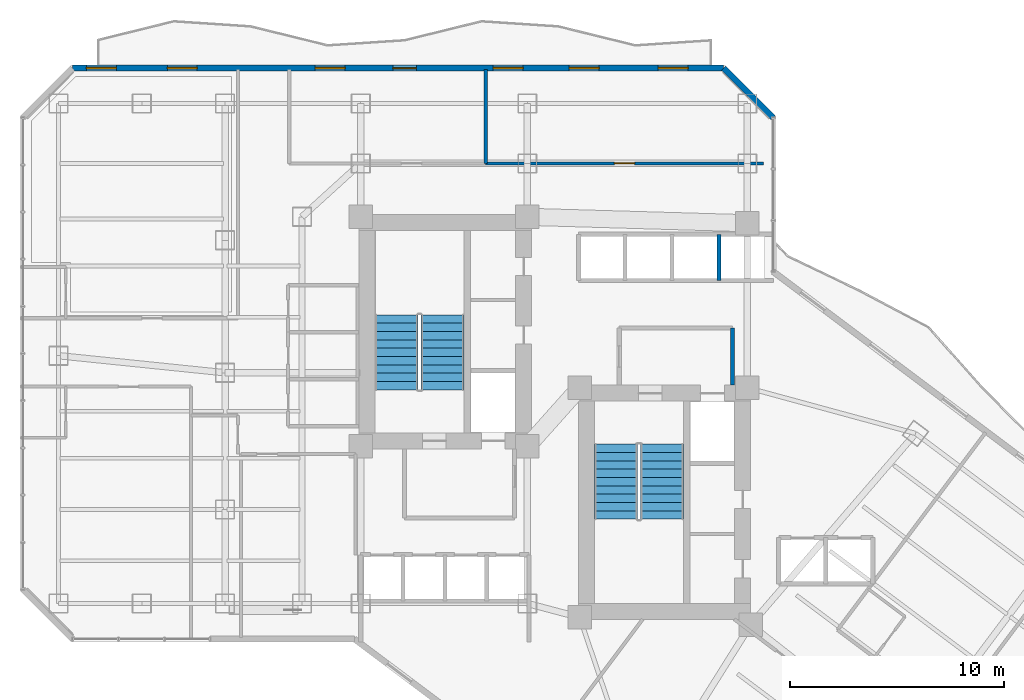
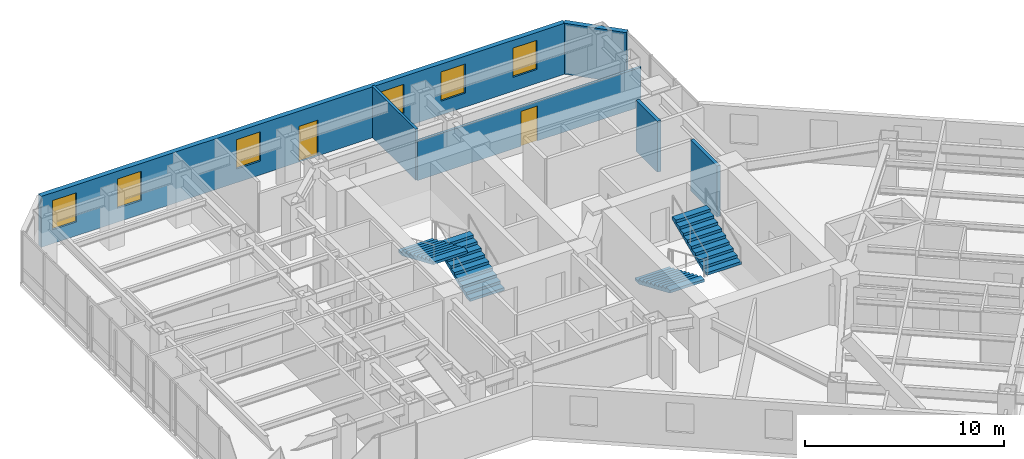
# One storey, part 27 of 31: 6 walls, 6 windows, 4 stair flights, 2 doors, 8 openings, 2 elements without a shape of their own.
"""IFC4 building model written with IfcOpenShell, lengths in metres."""

from ifc_helpers import new_model, si_unit, direction, frame, frame_2d, origin, place, context, subcontext, project, spatial, polyline, rectangle, outline, extrude, material, layer, layer_set, type_object, element, fill, aggregate, save


model = new_model("IFC4")

# Units and contexts
model_context = context("Model", 3, precision=1e-05, world=origin(), true_north=direction((0.0, 1.0)))
body_context = subcontext(model_context, "Body", "Model", "MODEL_VIEW")
ifc_project = project(units=[si_unit("LENGTHUNIT", "METRE"), si_unit("AREAUNIT", "SQUARE_METRE"), si_unit("VOLUMEUNIT", "CUBIC_METRE"), si_unit("PLANEANGLEUNIT", "RADIAN"), si_unit("MASSUNIT", "GRAM", prefix="KILO")], contexts=[model_context])

# Site, building, storey
site_placement = place(None, origin())
site = spatial("IfcSite", under=ifc_project, at=site_placement, CompositionType="ELEMENT")
building_placement = place(site_placement, origin())
building = spatial("IfcBuilding", under=site, at=building_placement, Name="Hatsunagi Terrace Concourse", CompositionType="ELEMENT")
storey_placement = place(building_placement, frame((0.0, 0.0, 77.949951171875)))
storey = spatial("IfcBuildingStorey", under=building, at=storey_placement, Name="L20", CompositionType="ELEMENT", Elevation=77.949951171875)

# Wall
ifc_material_1 = material(Name="Acoustic mineral board", Category="gypsum")
ifc_layer_1 = layer(ifc_material_1, 0.14990234375)
ifc_layer_set_1 = layer_set([ifc_layer_1], Name="PartitionWall_EI60_150")
wall_type_1 = type_object("IfcWallType", Name="PartitionWall_EI60_150", PredefinedType="PARTITIONING", material=ifc_layer_set_1)
wall_1_placement = place(storey_placement, frame((31.39990234375, 45.800048828125, 0.0), z_axis=(0.0, 0.0, 1.0), x_axis=(0.0, 1.0, 0.0)))
element("IfcWall", 1, at=wall_1_placement, inside=storey, type_object=wall_type_1, Name="Interior Partition IW-L20-039", PredefinedType="PARTITIONING", context=body_context, shape_type="SweptSolid", body=[
    extrude(rectangle(XDim=4.39990234375, YDim=0.14990234375, at=frame_2d((2.199951171875, 0.0))), origin(), (0.0, 0.0, 1.0), 3.130126953125),
])

# Wall, opening, door
wall_2_placement = place(storey_placement, frame((31.39990234375, 45.800048828125, 0.0), z_axis=(0.0, 0.0, 1.0), x_axis=(1.0, 0.0, 0.0)))
wall_2 = element("IfcWall", 2, at=wall_2_placement, inside=storey, type_object=wall_type_1, Name="Interior Partition IW-L20-040", PredefinedType="PARTITIONING", context=body_context, shape_type="SweptSolid", body=[
    extrude(rectangle(XDim=13.0, YDim=0.14990234375, at=frame_2d((6.5, 0.0))), origin(), (0.0, 0.0, 1.0), 2.425048828125),
])
opening_1_placement = place(wall_2_placement, frame((6.02490234375, 0.0, 0.0)))
opening_1 = element("IfcOpeningElement", 3, at=opening_1_placement, cuts=wall_2, Name="Opening DR-095", PredefinedType="OPENING", context=body_context, shape_type="SweptSolid", body=[
    extrude(rectangle(XDim=0.949951171875, YDim=2.14990234375, at=frame_2d((0.47509765625, 1.074951171875))), frame((0.0, 0.0849609375, 0.0), z_axis=(0.0, -1.0, 0.0), x_axis=(1.0, 0.0, 0.0)), (0.0, 0.0, 1.0), 0.169921875),
])
ifc_material_2 = material(Name="Hardwood timber", Category="wood")
door_type_1 = type_object("IfcDoorType", Name="InteriorSuiteDoor_EI30_950", OperationType="NOTDEFINED", PredefinedType="DOOR", material=ifc_material_2)
door_1_placement = place(opening_1_placement, origin())
door_1 = element("IfcDoor", 4, at=door_1_placement, inside=storey, type_object=door_type_1, Name="VIP Lounge L20-HLNG Door", OperationType="SINGLE_SWING_LEFT", OverallHeight=2.14990234375, OverallWidth=0.949951171875, PredefinedType="DOOR", context=body_context, shape_type="SweptSolid", body=[
    extrude(rectangle(XDim=0.949951171875, YDim=2.14990234375, at=frame_2d((0.47509765625, 1.074951171875))), frame((0.0, 0.02490234375, 0.0), z_axis=(0.0, -1.0, 0.0), x_axis=(1.0, 0.0, 0.0)), (0.0, 0.0, 1.0), 0.050048828125),
])
fill(opening_1, door_1)

# Walls
ifc_material_3 = material(Name="Acoustic mineral board", Category="gypsum")
ifc_layer_2 = layer(ifc_material_3, 0.199951171875)
ifc_layer_set_2 = layer_set([ifc_layer_2], Name="ShaftWall_EI120_200")
wall_type_2 = type_object("IfcWallType", Name="ShaftWall_EI120_200", PredefinedType="STANDARD", material=ifc_layer_set_2)
wall_3_placement = place(storey_placement, frame((42.949951171875, 35.419921875, 0.0), z_axis=(0.0, 0.0, 1.0), x_axis=(0.0, 1.0, 0.0)))
element("IfcWall", 5, at=wall_3_placement, inside=storey, type_object=wall_type_2, Name="Interior Partition IW-L20-009", PredefinedType="STANDARD", context=body_context, shape_type="SweptSolid", body=[
    extrude(rectangle(XDim=2.68017578125, YDim=0.199951171875, at=frame_2d((1.340087890625, 0.0))), origin(), (0.0, 0.0, 1.0), 3.130126953125),
])
wall_4_placement = place(storey_placement, frame((42.320068359375, 40.320068359375, 0.0), z_axis=(0.0, 0.0, 1.0), x_axis=(0.0, 1.0, 0.0)))
element("IfcWall", 6, at=wall_4_placement, inside=storey, type_object=wall_type_2, Name="Interior Partition IW-L20-022", PredefinedType="STANDARD", context=body_context, shape_type="SweptSolid", body=[
    extrude(rectangle(XDim=2.159912109375, YDim=0.199951171875, at=frame_2d((1.080078125, 0.0))), origin(), (0.0, 0.0, 1.0), 3.130126953125),
])

# Wall, openings, door, windows
ifc_material_4 = material(Name="Autoclaved Lightweight Concrete and Terracotta Cladding", Category="masonry")
ifc_layer_3 = layer(ifc_material_4, 0.280029296875)
ifc_layer_set_3 = layer_set([ifc_layer_3], Name="TerracottaSpandrelWall_280")
wall_type_3 = type_object("IfcWallType", Name="TerracottaSpandrelWall_280", PredefinedType="STANDARD", material=ifc_layer_set_3)
wall_5_placement = place(storey_placement, frame((12.05810546875, 50.260009765625, 0.0), z_axis=(0.0, 0.0, 1.0), x_axis=(1.0, 0.0, 0.0)))
wall_5 = element("IfcWall", 7, at=wall_5_placement, inside=storey, type_object=wall_type_3, Name="Exterior Spandrel Wall EW-L20-11", PredefinedType="STANDARD", context=body_context, shape_type="SweptSolid", body=[
    extrude(rectangle(XDim=30.48388671875, YDim=0.280029296875, at=frame_2d((15.241943359375, 0.0))), origin(), (0.0, 0.0, 1.0), 3.130126953125),
])
opening_2_placement = place(wall_5_placement, frame((14.991943359375, 0.0, 0.0)))
opening_2 = element("IfcOpeningElement", 8, at=opening_2_placement, cuts=wall_5, Name="Opening BD-01", PredefinedType="OPENING", context=body_context, shape_type="SweptSolid", body=[
    extrude(rectangle(XDim=1.10009765625, YDim=2.199951171875, at=frame_2d((0.550048828125, 1.10009765625))), frame((0.0, 0.14990234375, 0.0), z_axis=(0.0, -1.0, 0.0), x_axis=(1.0, 0.0, 0.0)), (0.0, 0.0, 1.0), 0.300048828125),
])
opening_3_placement = place(wall_5_placement, frame((0.653076171875, 0.0, 0.85009765625)))
opening_3 = element("IfcOpeningElement", 9, at=opening_3_placement, cuts=wall_5, Name="Opening WIN-02", PredefinedType="OPENING", context=body_context, shape_type="SweptSolid", body=[
    extrude(rectangle(XDim=1.39990234375, YDim=1.800048828125, at=frame_2d((0.699951171875, 0.89990234375))), frame((0.0, 0.14990234375, 0.0), z_axis=(0.0, -1.0, 0.0), x_axis=(1.0, 0.0, 0.0)), (0.0, 0.0, 1.0), 0.300048828125),
])
opening_4_placement = place(wall_5_placement, frame((4.43505859375, 0.0, 0.85009765625)))
opening_4 = element("IfcOpeningElement", 10, at=opening_4_placement, cuts=wall_5, Name="Opening WIN-02", PredefinedType="OPENING", context=body_context, shape_type="SweptSolid", body=[
    extrude(rectangle(XDim=1.39990234375, YDim=1.800048828125, at=frame_2d((0.699951171875, 0.89990234375))), frame((0.0, 0.14990234375, 0.0), z_axis=(0.0, -1.0, 0.0), x_axis=(1.0, 0.0, 0.0)), (0.0, 0.0, 1.0), 0.300048828125),
])
opening_5_placement = place(wall_5_placement, frame((11.361083984375, 0.0, 0.85009765625)))
opening_5 = element("IfcOpeningElement", 11, at=opening_5_placement, cuts=wall_5, Name="Opening WIN-02", PredefinedType="OPENING", context=body_context, shape_type="SweptSolid", body=[
    extrude(rectangle(XDim=1.39990234375, YDim=1.800048828125, at=frame_2d((0.699951171875, 0.89990234375))), frame((0.0, 0.14990234375, 0.0), z_axis=(0.0, -1.0, 0.0), x_axis=(1.0, 0.0, 0.0)), (0.0, 0.0, 1.0), 0.300048828125),
])
opening_6_placement = place(wall_5_placement, frame((19.693115234375, 0.0, 0.85009765625)))
opening_6 = element("IfcOpeningElement", 12, at=opening_6_placement, cuts=wall_5, Name="Opening WIN-02", PredefinedType="OPENING", context=body_context, shape_type="SweptSolid", body=[
    extrude(rectangle(XDim=1.39990234375, YDim=1.800048828125, at=frame_2d((0.699951171875, 0.89990234375))), frame((0.0, 0.14990234375, 0.0), z_axis=(0.0, -1.0, 0.0), x_axis=(1.0, 0.0, 0.0)), (0.0, 0.0, 1.0), 0.300048828125),
])
opening_7_placement = place(wall_5_placement, frame((23.251953125, 0.0, 0.85009765625)))
opening_7 = element("IfcOpeningElement", 13, at=opening_7_placement, cuts=wall_5, Name="Opening WIN-02", PredefinedType="OPENING", context=body_context, shape_type="SweptSolid", body=[
    extrude(rectangle(XDim=1.39990234375, YDim=1.800048828125, at=frame_2d((0.699951171875, 0.89990234375))), frame((0.0, 0.14990234375, 0.0), z_axis=(0.0, -1.0, 0.0), x_axis=(1.0, 0.0, 0.0)), (0.0, 0.0, 1.0), 0.300048828125),
])
opening_8_placement = place(wall_5_placement, frame((27.4169921875, 0.0, 0.85009765625)))
opening_8 = element("IfcOpeningElement", 14, at=opening_8_placement, cuts=wall_5, Name="Opening WIN-02", PredefinedType="OPENING", context=body_context, shape_type="SweptSolid", body=[
    extrude(rectangle(XDim=1.39990234375, YDim=1.800048828125, at=frame_2d((0.699951171875, 0.89990234375))), frame((0.0, 0.14990234375, 0.0), z_axis=(0.0, -1.0, 0.0), x_axis=(1.0, 0.0, 0.0)), (0.0, 0.0, 1.0), 0.300048828125),
])
ifc_material_5 = material(Name="Galvanised Steel and Laminated Safety Glass", Category="steel")
door_type_2 = type_object("IfcDoorType", Name="BalconyTerraceAccessDoor_1100x2200", OperationType="SINGLE_SWING_LEFT", PredefinedType="DOOR", material=ifc_material_5)
door_2_placement = place(opening_2_placement, origin())
door_2 = element("IfcDoor", 15, at=door_2_placement, inside=storey, type_object=door_type_2, Name="Engawa Balcony Door L20-BN", OperationType="SINGLE_SWING_RIGHT", OverallHeight=2.199951171875, OverallWidth=1.10009765625, PredefinedType="DOOR", context=body_context, shape_type="SweptSolid", body=[
    extrude(rectangle(XDim=1.10009765625, YDim=2.199951171875, at=frame_2d((0.550048828125, 1.10009765625))), frame((0.0, 0.02490234375, 0.0), z_axis=(0.0, -1.0, 0.0), x_axis=(1.0, 0.0, 0.0)), (0.0, 0.0, 1.0), 0.050048828125),
])
fill(opening_2, door_2)
ifc_material_6 = material(Name="Thermally Broken Aluminium and Low-E Triple Glazing", Category="aluminium")
window_type = type_object("IfcWindowType", Name="HotelOperableVentWindow_1400x1800", PartitioningType="DOUBLE_PANEL_VERTICAL", PredefinedType="WINDOW", material=ifc_material_6)
window_1_placement = place(opening_3_placement, origin())
window_1 = element("IfcWindow", 16, at=window_1_placement, inside=storey, type_object=window_type, Name="Balcony Daylighting Window L20-11-1", OverallHeight=1.800048828125, OverallWidth=1.39990234375, PartitioningType="SINGLE_PANEL", PredefinedType="WINDOW", context=body_context, shape_type="SweptSolid", body=[
    extrude(rectangle(XDim=1.39990234375, YDim=1.800048828125, at=frame_2d((0.699951171875, 0.89990234375))), frame((0.0, 0.030029296875, 0.0), z_axis=(0.0, -1.0, 0.0), x_axis=(1.0, 0.0, 0.0)), (0.0, 0.0, 1.0), 0.06005859375),
])
fill(opening_3, window_1)
window_2_placement = place(opening_4_placement, origin())
window_2 = element("IfcWindow", 17, at=window_2_placement, inside=storey, type_object=window_type, Name="Balcony Daylighting Window L20-11-2", OverallHeight=1.800048828125, OverallWidth=1.39990234375, PartitioningType="SINGLE_PANEL", PredefinedType="WINDOW", context=body_context, shape_type="SweptSolid", body=[
    extrude(rectangle(XDim=1.39990234375, YDim=1.800048828125, at=frame_2d((0.699951171875, 0.89990234375))), frame((0.0, 0.030029296875, 0.0), z_axis=(0.0, -1.0, 0.0), x_axis=(1.0, 0.0, 0.0)), (0.0, 0.0, 1.0), 0.06005859375),
])
fill(opening_4, window_2)
window_3_placement = place(opening_5_placement, origin())
window_3 = element("IfcWindow", 18, at=window_3_placement, inside=storey, type_object=window_type, Name="Balcony Daylighting Window L20-11-3", OverallHeight=1.800048828125, OverallWidth=1.39990234375, PartitioningType="SINGLE_PANEL", PredefinedType="WINDOW", context=body_context, shape_type="SweptSolid", body=[
    extrude(rectangle(XDim=1.39990234375, YDim=1.800048828125, at=frame_2d((0.699951171875, 0.89990234375))), frame((0.0, 0.030029296875, 0.0), z_axis=(0.0, -1.0, 0.0), x_axis=(1.0, 0.0, 0.0)), (0.0, 0.0, 1.0), 0.06005859375),
])
fill(opening_5, window_3)
window_4_placement = place(opening_6_placement, origin())
window_4 = element("IfcWindow", 19, at=window_4_placement, inside=storey, type_object=window_type, Name="Balcony Daylighting Window L20-11-5", OverallHeight=1.800048828125, OverallWidth=1.39990234375, PartitioningType="SINGLE_PANEL", PredefinedType="WINDOW", context=body_context, shape_type="SweptSolid", body=[
    extrude(rectangle(XDim=1.39990234375, YDim=1.800048828125, at=frame_2d((0.699951171875, 0.89990234375))), frame((0.0, 0.030029296875, 0.0), z_axis=(0.0, -1.0, 0.0), x_axis=(1.0, 0.0, 0.0)), (0.0, 0.0, 1.0), 0.06005859375),
])
fill(opening_6, window_4)
window_5_placement = place(opening_7_placement, origin())
window_5 = element("IfcWindow", 20, at=window_5_placement, inside=storey, type_object=window_type, Name="Balcony Daylighting Window L20-11-6", OverallHeight=1.800048828125, OverallWidth=1.39990234375, PartitioningType="SINGLE_PANEL", PredefinedType="WINDOW", context=body_context, shape_type="SweptSolid", body=[
    extrude(rectangle(XDim=1.39990234375, YDim=1.800048828125, at=frame_2d((0.699951171875, 0.89990234375))), frame((0.0, 0.030029296875, 0.0), z_axis=(0.0, -1.0, 0.0), x_axis=(1.0, 0.0, 0.0)), (0.0, 0.0, 1.0), 0.06005859375),
])
fill(opening_7, window_5)
window_6_placement = place(opening_8_placement, origin())
window_6 = element("IfcWindow", 21, at=window_6_placement, inside=storey, type_object=window_type, Name="Balcony Daylighting Window L20-11-7", OverallHeight=1.800048828125, OverallWidth=1.39990234375, PartitioningType="SINGLE_PANEL", PredefinedType="WINDOW", context=body_context, shape_type="SweptSolid", body=[
    extrude(rectangle(XDim=1.39990234375, YDim=1.800048828125, at=frame_2d((0.699951171875, 0.89990234375))), frame((0.0, 0.030029296875, 0.0), z_axis=(0.0, -1.0, 0.0), x_axis=(1.0, 0.0, 0.0)), (0.0, 0.0, 1.0), 0.06005859375),
])
fill(opening_8, window_6)

# Wall
wall_6_placement = place(storey_placement, frame((42.5419921875, 50.260009765625, 0.0), z_axis=(0.0, 0.0, 1.0), x_axis=(0.707106781187, -0.707106781187, 0.0)))
element("IfcWall", 22, at=wall_6_placement, inside=storey, type_object=wall_type_3, Name="Exterior Spandrel Wall EW-L20-12", PredefinedType="STANDARD", context=body_context, shape_type="SweptSolid", body=[
    extrude(rectangle(XDim=3.2783203125, YDim=0.280029296875, at=frame_2d((1.63916015625, 0.0))), origin(), (0.0, 0.0, 1.0), 3.130126953125),
])

# Stair, stair flights
ifc_material_7 = material(Name="Concrete Fc42", Category="concrete")
stair_type = type_object("IfcStairType", Name="DoglegExitStair_Tower2000_20R_167", PredefinedType="HALF_TURN_STAIR", material=ifc_material_7)
stair_1_placement = place(storey_placement, origin())
stair_1 = element("IfcStair", 23, at=stair_1_placement, inside=storey, type_object=stair_type, Name="L20 Core A Protected Exit Stair ST-A", PredefinedType="HALF_TURN_STAIR")
ifc_material_8 = material(Name="Concrete Fc42", Category="concrete")
stair_flight_type = type_object("IfcStairFlightType", Name="DoglegStairFlight_Tower2000_20R_167", PredefinedType="STRAIGHT", material=ifc_material_8)
stair_flight_1_placement = place(storey_placement, frame((29.3798828125, 35.199951171875, 0.0), z_axis=(0.0, 0.0, 1.0), x_axis=(0.0, 1.0, 0.0)))
stair_flight_1 = element("IfcStairFlight", 24, at=stair_flight_1_placement, type_object=stair_flight_type, Name="ST-A flight 1", NumberOfRisers=10, NumberOfTreads=9, PredefinedType="STRAIGHT", RiserHeight=0.1675, TreadLength=0.39, context=body_context, shape_type="SweptSolid", body=[
    extrude(outline(polyline([(0.0, 0.0), (0.0, 0.16748046875), (0.389892578125, 0.16748046875), (0.389892578125, 0.3349609375), (0.780029296875, 0.3349609375), (0.780029296875, 0.50244140625), (1.169921875, 0.50244140625), (1.169921875, 0.669921875), (1.56005859375, 0.669921875), (1.56005859375, 0.83740234375), (1.949951171875, 0.83740234375), (1.949951171875, 1.0048828125), (2.340087890625, 1.0048828125), (2.340087890625, 1.172607421875), (2.72998046875, 1.172607421875), (2.72998046875, 1.340087890625), (3.1201171875, 1.340087890625), (3.1201171875, 1.507568359375), (3.510009765625, 1.507568359375), (3.510009765625, 1.675048828125), (3.510009765625, 1.34423828125), (0.3798828125, 0.0), (0.0, 0.0)])), frame((0.0, 1.0, 0.0), z_axis=(0.0, -1.0, 0.0), x_axis=(1.0, 0.0, 0.0)), (0.0, 0.0, 1.0), 2.0),
])
stair_flight_2_placement = place(storey_placement, frame((27.22998046875, 38.7099609375, 1.675048828125), z_axis=(0.0, 0.0, 1.0), x_axis=(0.0, -1.0, 0.0)))
stair_flight_2 = element("IfcStairFlight", 25, at=stair_flight_2_placement, type_object=stair_flight_type, Name="ST-A flight 2", NumberOfRisers=10, NumberOfTreads=9, PredefinedType="STRAIGHT", RiserHeight=0.1675, TreadLength=0.39, context=body_context, shape_type="SweptSolid", body=[
    extrude(outline(polyline([(0.0, 0.0), (0.0, 0.16748046875), (0.389892578125, 0.16748046875), (0.389892578125, 0.3349609375), (0.780029296875, 0.3349609375), (0.780029296875, 0.50244140625), (1.169921875, 0.50244140625), (1.169921875, 0.669921875), (1.56005859375, 0.669921875), (1.56005859375, 0.83740234375), (1.949951171875, 0.83740234375), (1.949951171875, 1.0048828125), (2.340087890625, 1.0048828125), (2.340087890625, 1.172607421875), (2.72998046875, 1.172607421875), (2.72998046875, 1.340087890625), (3.1201171875, 1.340087890625), (3.1201171875, 1.507568359375), (3.510009765625, 1.507568359375), (3.510009765625, 1.675048828125), (3.510009765625, 1.34423828125), (0.3798828125, 0.0), (0.0, 0.0)])), frame((0.0, 1.0, 0.0), z_axis=(0.0, -1.0, 0.0), x_axis=(1.0, 0.0, 0.0)), (0.0, 0.0, 1.0), 2.0),
])
aggregate(stair_1, [stair_flight_1, stair_flight_2])

stair_2_placement = place(storey_placement, origin())
stair_2 = element("IfcStair", 26, at=stair_2_placement, inside=storey, type_object=stair_type, Name="L20 Core B Protected Exit Stair ST-B", PredefinedType="HALF_TURN_STAIR")
stair_flight_3_placement = place(storey_placement, frame((37.5, 32.659912109375, 0.0), z_axis=(0.0, 0.0, 1.0), x_axis=(0.0, -1.0, 0.0)))
stair_flight_3 = element("IfcStairFlight", 27, at=stair_flight_3_placement, type_object=stair_flight_type, Name="ST-B flight 1", NumberOfRisers=10, NumberOfTreads=9, PredefinedType="STRAIGHT", RiserHeight=0.1675, TreadLength=0.39, context=body_context, shape_type="SweptSolid", body=[
    extrude(outline(polyline([(0.0, 0.0), (0.0, 0.16748046875), (0.389892578125, 0.16748046875), (0.389892578125, 0.3349609375), (0.780029296875, 0.3349609375), (0.780029296875, 0.50244140625), (1.169921875, 0.50244140625), (1.169921875, 0.669921875), (1.56005859375, 0.669921875), (1.56005859375, 0.83740234375), (1.949951171875, 0.83740234375), (1.949951171875, 1.0048828125), (2.340087890625, 1.0048828125), (2.340087890625, 1.172607421875), (2.72998046875, 1.172607421875), (2.72998046875, 1.340087890625), (3.1201171875, 1.340087890625), (3.1201171875, 1.507568359375), (3.510009765625, 1.507568359375), (3.510009765625, 1.675048828125), (3.510009765625, 1.34423828125), (0.3798828125, 0.0), (0.0, 0.0)])), frame((0.0, 1.0, 0.0), z_axis=(0.0, -1.0, 0.0), x_axis=(1.0, 0.0, 0.0)), (0.0, 0.0, 1.0), 2.0),
])
stair_flight_4_placement = place(storey_placement, frame((39.64990234375, 29.14990234375, 1.675048828125), z_axis=(0.0, 0.0, 1.0), x_axis=(0.0, 1.0, 0.0)))
stair_flight_4 = element("IfcStairFlight", 28, at=stair_flight_4_placement, type_object=stair_flight_type, Name="ST-B flight 2", NumberOfRisers=10, NumberOfTreads=9, PredefinedType="STRAIGHT", RiserHeight=0.1675, TreadLength=0.39, context=body_context, shape_type="SweptSolid", body=[
    extrude(outline(polyline([(0.0, 0.0), (0.0, 0.16748046875), (0.389892578125, 0.16748046875), (0.389892578125, 0.3349609375), (0.780029296875, 0.3349609375), (0.780029296875, 0.50244140625), (1.169921875, 0.50244140625), (1.169921875, 0.669921875), (1.56005859375, 0.669921875), (1.56005859375, 0.83740234375), (1.949951171875, 0.83740234375), (1.949951171875, 1.0048828125), (2.340087890625, 1.0048828125), (2.340087890625, 1.172607421875), (2.72998046875, 1.172607421875), (2.72998046875, 1.340087890625), (3.1201171875, 1.340087890625), (3.1201171875, 1.507568359375), (3.510009765625, 1.507568359375), (3.510009765625, 1.675048828125), (3.510009765625, 1.34423828125), (0.3798828125, 0.0), (0.0, 0.0)])), frame((0.0, 1.0, 0.0), z_axis=(0.0, -1.0, 0.0), x_axis=(1.0, 0.0, 0.0)), (0.0, 0.0, 1.0), 2.0),
])
aggregate(stair_2, [stair_flight_3, stair_flight_4])

save(model, "model.ifc")
